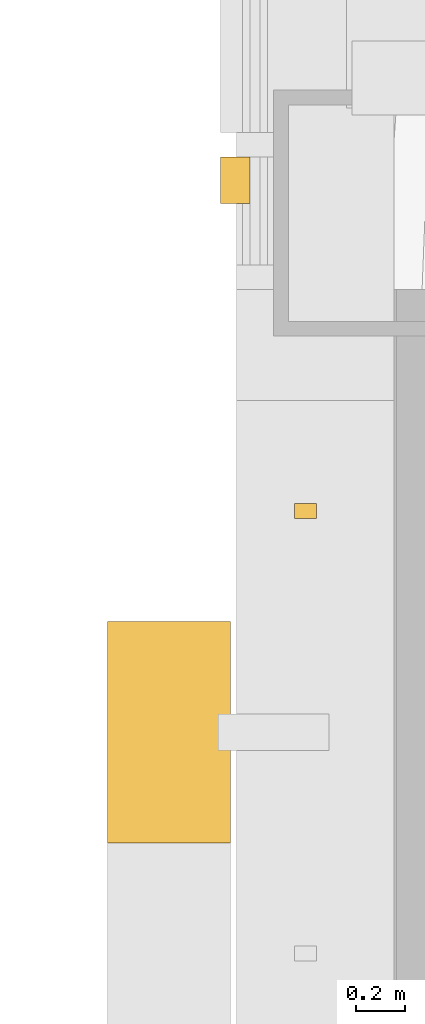
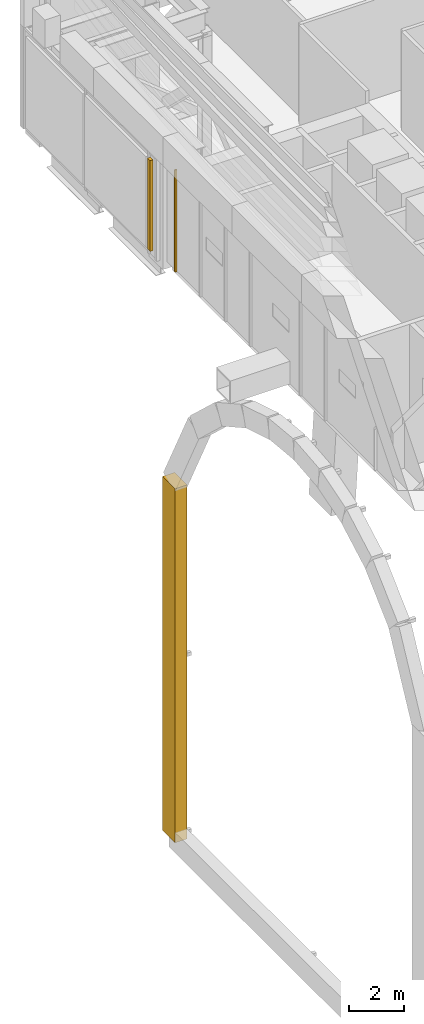
# One storey, part 35 of 39: 3 coverings.
"""IFC4 building model written with IfcOpenShell, lengths in metres."""

from ifc_helpers import new_model, si_unit, direction, frame, origin, origin_2d, place, context, subcontext, project, spatial, rectangle, extrude, material, material_profile, profile_set, type_object, element, save


model = new_model("IFC4")

# Units and contexts
model_context = context("Model", 3, precision=1e-05, world=origin(), true_north=direction((0.0, 1.0)))
body_context = subcontext(model_context, "Body", "Model", "MODEL_VIEW")
ifc_project = project(units=[si_unit("LENGTHUNIT", "METRE"), si_unit("AREAUNIT", "SQUARE_METRE"), si_unit("VOLUMEUNIT", "CUBIC_METRE"), si_unit("PLANEANGLEUNIT", "RADIAN"), si_unit("MASSUNIT", "GRAM", prefix="KILO")], contexts=[model_context])

# Site, building, storey
site_placement = place(None, origin())
site = spatial("IfcSite", under=ifc_project, at=site_placement, CompositionType="ELEMENT")
building_placement = place(site_placement, origin())
building = spatial("IfcBuilding", under=site, at=building_placement, Name="Cobrizo Arcos Hotel Tower", CompositionType="ELEMENT")
storey_placement = place(building_placement, frame((0.0, 0.0, 84.5)))
storey = spatial("IfcBuildingStorey", under=building, at=storey_placement, Name="L20", CompositionType="ELEMENT", Elevation=84.5)

# Coverings
ifc_material_1 = material(Name="Aluminium 6063-T6 anodised pale", Category="aluminium")
ifc_material_profile = material_profile(ifc_material_1, rectangle(XDim=0.5, YDim=0.89990234375, at=origin_2d()), Name="AF-2 core arch rim 500x900")
ifc_profile_set = profile_set([ifc_material_profile], Name="Aluminium 6063-T6 anodised pale")
covering_type_1 = type_object("IfcCoveringType", Name="AF-2 core arch rim 500x900", PredefinedType="CLADDING", material=ifc_profile_set)
covering_1_placement = place(storey_placement, frame((-24.925048828125, 9.0, -24.050048828125), z_axis=(0.0, 0.0, 1.0), x_axis=(1.0, 0.0, 0.0)))
element("IfcCovering", 1, at=covering_1_placement, inside=storey, type_object=covering_type_1, Name="Arch rim A W face", PredefinedType="CLADDING", context=body_context, shape_type="SweptSolid", body=[
    extrude(rectangle(XDim=0.5, YDim=0.89990234375, at=origin_2d()), origin(), (0.0, 0.0, 1.0), 15.58984375),
])
ifc_material_2 = material(Name="Aluminium 6063-T6 anodised bronze", Category="aluminium")
covering_type_2 = type_object("IfcCoveringType", Name="LV-1 plant louvre band", PredefinedType="CLADDING", material=ifc_material_2)
covering_2_placement = place(storey_placement, frame((-24.655029296875, 11.244384765625, 0.25), z_axis=(0.0, 0.0, 1.0), x_axis=(0.0, -1.0, 0.0)))
element("IfcCovering", 2, at=covering_2_placement, inside=storey, type_object=covering_type_2, Name="louvre band 845", PredefinedType="CLADDING", context=body_context, shape_type="SweptSolid", body=[
    extrude(rectangle(XDim=0.18896484375, YDim=0.1201171875, at=origin_2d()), origin(), (0.0, 0.0, 1.0), 4.0),
])
covering_type_3 = type_object("IfcCoveringType", Name="RS-1 rainscreen rib 60x90", PredefinedType="CLADDING", material=ifc_material_1)
covering_3_placement = place(storey_placement, frame((-24.3701171875, 9.89990234375, 0.0), z_axis=(0.0, 0.0, 1.0), x_axis=(0.0, -1.0, 0.0)))
element("IfcCovering", 3, at=covering_3_placement, inside=storey, type_object=covering_type_3, Name="Rainscreen rib 31", PredefinedType="CLADDING", context=body_context, shape_type="SweptSolid", body=[
    extrude(rectangle(XDim=0.06005859375, YDim=0.090087890625, at=origin_2d()), origin(), (0.0, 0.0, 1.0), 4.5),
])

save(model, "model.ifc")
